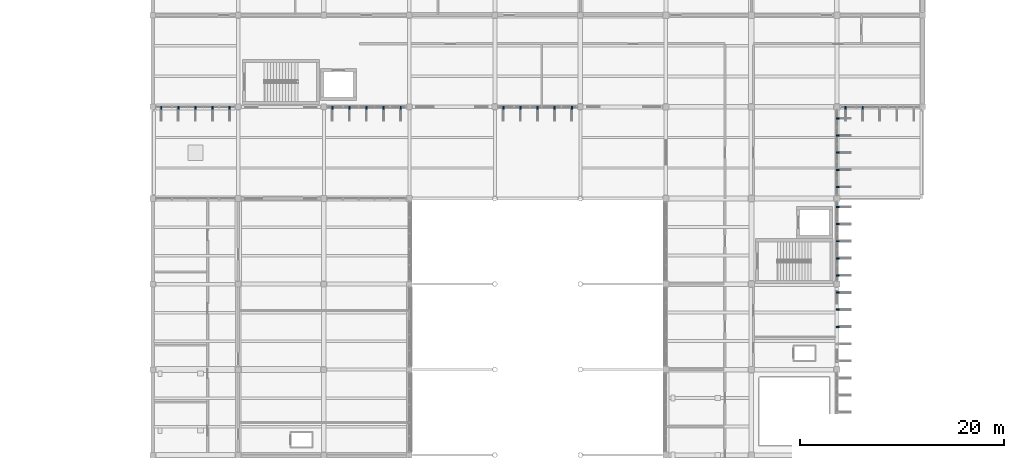
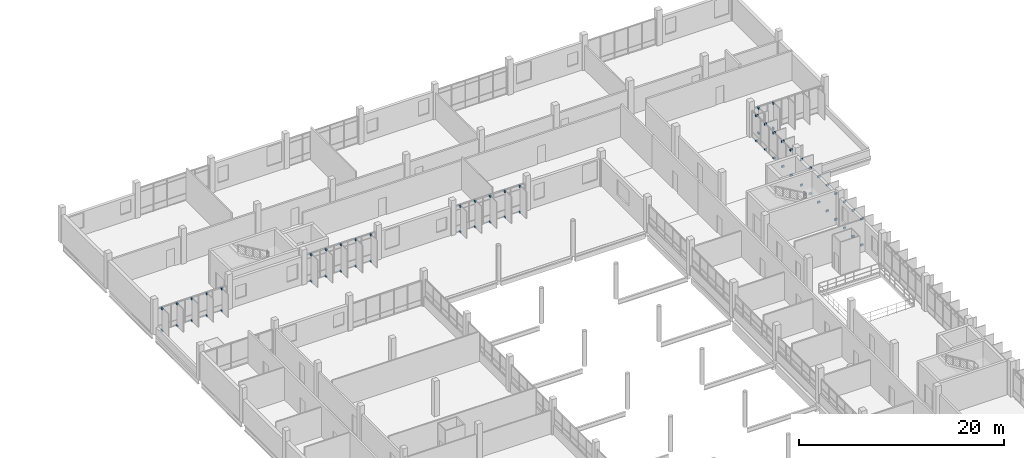
# One storey, part 122 of 130: 60 discrete accessories.
"""IFC4 building model written with IfcOpenShell, lengths in metres."""

from ifc_helpers import new_model, si_unit, direction, frame, origin, origin_2d, place, context, subcontext, project, spatial, rectangle, extrude, material, type_object, element, save


model = new_model("IFC4")

# Units and contexts
model_context = context("Model", 3, precision=1e-05, world=origin(), true_north=direction((0.0, 1.0)))
body_context = subcontext(model_context, "Body", "Model", "MODEL_VIEW")
ifc_project = project(units=[si_unit("LENGTHUNIT", "METRE"), si_unit("AREAUNIT", "SQUARE_METRE"), si_unit("VOLUMEUNIT", "CUBIC_METRE"), si_unit("PLANEANGLEUNIT", "RADIAN"), si_unit("MASSUNIT", "GRAM", prefix="KILO")], contexts=[model_context])

# Site, building, storey
site_placement = place(None, origin())
site = spatial("IfcSite", under=ifc_project, at=site_placement, CompositionType="ELEMENT")
building_placement = place(site_placement, origin())
building = spatial("IfcBuilding", under=site, at=building_placement, Name="Vireocrest Preparatory School", CompositionType="ELEMENT")
storey_placement = place(building_placement, frame((0.0, 0.0, 9.0)))
storey = spatial("IfcBuildingStorey", under=building, at=storey_placement, Name="L02", CompositionType="ELEMENT", Elevation=9.0)

# Discrete accessories
ifc_material = material(Name="Structural steel ASTM A572 Grade 50", Category="steel")
discrete_accessory_type = type_object("IfcDiscreteAccessoryType", Name="Slab-Edge Steel Outrigger Fin Bracket", PredefinedType="BRACKET", material=ifc_material)
for number, where, z_axis, x_axis, name in (
    (1, (109.27001953125, 73.199951171875, -0.08984375), (0.0, 0.0, 1.0), (0.0, -1.0, 0.0), "Solar Fin Outrigger Bracket BK1 L02-18-3-BOT"),
    (2, (109.27001953125, 73.199951171875, 3.02001953125), (0.0, 0.0, 1.0), (0.0, -1.0, 0.0), "Solar Fin Outrigger Bracket BK1 L02-18-3-TOP"),
    (3, (109.27001953125, 74.8798828125, -0.08984375), (0.0, 0.0, 1.0), (0.0, -1.0, 0.0), "Solar Fin Outrigger Bracket BK1 L02-18-4-BOT"),
    (4, (109.27001953125, 74.8798828125, 3.02001953125), (0.0, 0.0, 1.0), (0.0, -1.0, 0.0), "Solar Fin Outrigger Bracket BK1 L02-18-4-TOP"),
    (5, (109.27001953125, 76.56005859375, -0.08984375), (0.0, 0.0, 1.0), (0.0, -1.0, 0.0), "Solar Fin Outrigger Bracket BK1 L02-18-5-BOT"),
    (6, (109.27001953125, 76.56005859375, 3.02001953125), (0.0, 0.0, 1.0), (0.0, -1.0, 0.0), "Solar Fin Outrigger Bracket BK1 L02-18-5-TOP"),
    (7, (109.27001953125, 78.239990234375, -0.08984375), (0.0, 0.0, 1.0), (0.0, -1.0, 0.0), "Solar Fin Outrigger Bracket BK1 L02-19-1-BOT"),
    (8, (109.27001953125, 78.239990234375, 2.97021484375), (0.0, 0.0, 1.0), (0.0, -1.0, 0.0), "Solar Fin Outrigger Bracket BK1 L02-19-1-TOP"),
    (9, (109.27001953125, 79.919921875, -0.08984375), (0.0, 0.0, 1.0), (0.0, -1.0, 0.0), "Solar Fin Outrigger Bracket BK1 L02-19-2-BOT"),
    (10, (109.27001953125, 79.919921875, 2.97021484375), (0.0, 0.0, 1.0), (0.0, -1.0, 0.0), "Solar Fin Outrigger Bracket BK1 L02-19-2-TOP"),
    (11, (109.27001953125, 81.60009765625, -0.08984375), (0.0, 0.0, 1.0), (0.0, -1.0, 0.0), "Solar Fin Outrigger Bracket BK1 L02-19-3-BOT"),
    (12, (109.27001953125, 81.60009765625, 2.97021484375), (0.0, 0.0, 1.0), (0.0, -1.0, 0.0), "Solar Fin Outrigger Bracket BK1 L02-19-3-TOP"),
    (13, (109.27001953125, 83.280029296875, -0.08984375), (0.0, 0.0, 1.0), (0.0, -1.0, 0.0), "Solar Fin Outrigger Bracket BK1 L02-19-4-BOT"),
    (14, (109.27001953125, 83.280029296875, 2.97021484375), (0.0, 0.0, 1.0), (0.0, -1.0, 0.0), "Solar Fin Outrigger Bracket BK1 L02-19-4-TOP"),
    (15, (109.27001953125, 84.9599609375, -0.08984375), (0.0, 0.0, 1.0), (0.0, -1.0, 0.0), "Solar Fin Outrigger Bracket BK1 L02-19-5-BOT"),
    (16, (109.27001953125, 84.9599609375, 2.97021484375), (0.0, 0.0, 1.0), (0.0, -1.0, 0.0), "Solar Fin Outrigger Bracket BK1 L02-19-5-TOP"),
    (17, (109.27001953125, 86.93994140625, -0.08984375), (0.0, 0.0, 1.0), (0.0, -1.0, 0.0), "Solar Fin Outrigger Bracket BK1 L02-20-1-BOT"),
    (18, (109.27001953125, 86.93994140625, 2.919921875), (0.0, 0.0, 1.0), (0.0, -1.0, 0.0), "Solar Fin Outrigger Bracket BK1 L02-20-1-TOP"),
    (19, (109.27001953125, 88.6201171875, -0.08984375), (0.0, 0.0, 1.0), (0.0, -1.0, 0.0), "Solar Fin Outrigger Bracket BK1 L02-20-2-BOT"),
    (20, (109.27001953125, 88.6201171875, 2.919921875), (0.0, 0.0, 1.0), (0.0, -1.0, 0.0), "Solar Fin Outrigger Bracket BK1 L02-20-2-TOP"),
    (21, (109.27001953125, 90.300048828125, -0.08984375), (0.0, 0.0, 1.0), (0.0, -1.0, 0.0), "Solar Fin Outrigger Bracket BK1 L02-20-3-BOT"),
    (22, (109.27001953125, 90.300048828125, 2.919921875), (0.0, 0.0, 1.0), (0.0, -1.0, 0.0), "Solar Fin Outrigger Bracket BK1 L02-20-3-TOP"),
    (23, (109.27001953125, 91.97998046875, -0.08984375), (0.0, 0.0, 1.0), (0.0, -1.0, 0.0), "Solar Fin Outrigger Bracket BK1 L02-20-4-BOT"),
    (24, (109.27001953125, 91.97998046875, 2.919921875), (0.0, 0.0, 1.0), (0.0, -1.0, 0.0), "Solar Fin Outrigger Bracket BK1 L02-20-4-TOP"),
    (25, (109.27001953125, 93.659912109375, -0.08984375), (0.0, 0.0, 1.0), (0.0, -1.0, 0.0), "Solar Fin Outrigger Bracket BK1 L02-20-5-BOT"),
    (26, (109.27001953125, 93.659912109375, 2.919921875), (0.0, 0.0, 1.0), (0.0, -1.0, 0.0), "Solar Fin Outrigger Bracket BK1 L02-20-5-TOP"),
    (27, (110.052490234375, 94.72998046875, -0.08984375), (0.0, 0.0, 1.0), (-1.0, 0.0, 0.0), "Solar Fin Outrigger Bracket BK1 L02-21-1-BOT"),
    (28, (110.052490234375, 94.72998046875, 2.89013671875), (0.0, 0.0, 1.0), (-1.0, 0.0, 0.0), "Solar Fin Outrigger Bracket BK1 L02-21-1-TOP"),
    (29, (111.732421875, 94.72998046875, -0.08984375), (0.0, 0.0, 1.0), (-1.0, 0.0, 0.0), "Solar Fin Outrigger Bracket BK1 L02-21-2-BOT"),
    (30, (111.732421875, 94.72998046875, 2.89013671875), (0.0, 0.0, 1.0), (-1.0, 0.0, 0.0), "Solar Fin Outrigger Bracket BK1 L02-21-2-TOP"),
    (31, (42.840087890625, 94.72998046875, -0.08984375), (0.0, 0.0, 1.0), (-1.0, 0.0, 0.0), "Solar Fin Outrigger Bracket BK1 L02-22-1-BOT"),
    (32, (42.840087890625, 94.72998046875, 2.5400390625), (0.0, 0.0, 1.0), (-1.0, 0.0, 0.0), "Solar Fin Outrigger Bracket BK1 L02-22-1-TOP"),
    (33, (44.52001953125, 94.72998046875, -0.08984375), (0.0, 0.0, 1.0), (-1.0, 0.0, 0.0), "Solar Fin Outrigger Bracket BK1 L02-22-2-BOT"),
    (34, (44.52001953125, 94.72998046875, 2.5400390625), (0.0, 0.0, 1.0), (-1.0, 0.0, 0.0), "Solar Fin Outrigger Bracket BK1 L02-22-2-TOP"),
    (35, (46.199951171875, 94.72998046875, -0.08984375), (0.0, 0.0, 1.0), (-1.0, 0.0, 0.0), "Solar Fin Outrigger Bracket BK1 L02-22-3-BOT"),
    (36, (46.199951171875, 94.72998046875, 2.5400390625), (0.0, 0.0, 1.0), (-1.0, 0.0, 0.0), "Solar Fin Outrigger Bracket BK1 L02-22-3-TOP"),
    (37, (47.8798828125, 94.72998046875, -0.08984375), (0.0, 0.0, 1.0), (-1.0, 0.0, 0.0), "Solar Fin Outrigger Bracket BK1 L02-22-4-BOT"),
    (38, (47.8798828125, 94.72998046875, 2.5400390625), (0.0, 0.0, 1.0), (-1.0, 0.0, 0.0), "Solar Fin Outrigger Bracket BK1 L02-22-4-TOP"),
    (39, (49.56005859375, 94.72998046875, -0.08984375), (0.0, 0.0, 1.0), (-1.0, 0.0, 0.0), "Solar Fin Outrigger Bracket BK1 L02-22-5-BOT"),
    (40, (49.56005859375, 94.72998046875, 2.5400390625), (0.0, 0.0, 1.0), (-1.0, 0.0, 0.0), "Solar Fin Outrigger Bracket BK1 L02-22-5-TOP"),
    (41, (59.639892578125, 94.72998046875, -0.08984375), (0.0, 0.0, 1.0), (-1.0, 0.0, 0.0), "Solar Fin Outrigger Bracket BK1 L02-23-1-BOT"),
    (42, (59.639892578125, 94.72998046875, 3.08984375), (0.0, 0.0, 1.0), (-1.0, 0.0, 0.0), "Solar Fin Outrigger Bracket BK1 L02-23-1-TOP"),
    (43, (61.320068359375, 94.72998046875, -0.08984375), (0.0, 0.0, 1.0), (-1.0, 0.0, 0.0), "Solar Fin Outrigger Bracket BK1 L02-23-2-BOT"),
    (44, (61.320068359375, 94.72998046875, 3.08984375), (0.0, 0.0, 1.0), (-1.0, 0.0, 0.0), "Solar Fin Outrigger Bracket BK1 L02-23-2-TOP"),
    (45, (63.0, 94.72998046875, -0.08984375), (0.0, 0.0, 1.0), (-1.0, 0.0, 0.0), "Solar Fin Outrigger Bracket BK1 L02-23-3-BOT"),
    (46, (63.0, 94.72998046875, 3.08984375), (0.0, 0.0, 1.0), (-1.0, 0.0, 0.0), "Solar Fin Outrigger Bracket BK1 L02-23-3-TOP"),
    (47, (64.679931640625, 94.72998046875, -0.08984375), (0.0, 0.0, 1.0), (-1.0, 0.0, 0.0), "Solar Fin Outrigger Bracket BK1 L02-23-4-BOT"),
    (48, (64.679931640625, 94.72998046875, 3.08984375), (0.0, 0.0, 1.0), (-1.0, 0.0, 0.0), "Solar Fin Outrigger Bracket BK1 L02-23-4-TOP"),
    (49, (66.360107421875, 94.72998046875, -0.08984375), (0.0, 0.0, 1.0), (-1.0, 0.0, 0.0), "Solar Fin Outrigger Bracket BK1 L02-23-5-BOT"),
    (50, (66.360107421875, 94.72998046875, 3.08984375), (0.0, 0.0, 1.0), (-1.0, 0.0, 0.0), "Solar Fin Outrigger Bracket BK1 L02-23-5-TOP"),
    (51, (76.43994140625, 94.72998046875, -0.08984375), (0.0, 0.0, 1.0), (-1.0, 0.0, 0.0), "Solar Fin Outrigger Bracket BK1 L02-24-1-BOT"),
    (52, (76.43994140625, 94.72998046875, 2.990234375), (0.0, 0.0, 1.0), (-1.0, 0.0, 0.0), "Solar Fin Outrigger Bracket BK1 L02-24-1-TOP"),
    (53, (78.1201171875, 94.72998046875, -0.08984375), (0.0, 0.0, 1.0), (-1.0, 0.0, 0.0), "Solar Fin Outrigger Bracket BK1 L02-24-2-BOT"),
    (54, (78.1201171875, 94.72998046875, 2.990234375), (0.0, 0.0, 1.0), (-1.0, 0.0, 0.0), "Solar Fin Outrigger Bracket BK1 L02-24-2-TOP"),
    (55, (79.800048828125, 94.72998046875, -0.08984375), (0.0, 0.0, 1.0), (-1.0, 0.0, 0.0), "Solar Fin Outrigger Bracket BK1 L02-24-3-BOT"),
    (56, (79.800048828125, 94.72998046875, 2.990234375), (0.0, 0.0, 1.0), (-1.0, 0.0, 0.0), "Solar Fin Outrigger Bracket BK1 L02-24-3-TOP"),
    (57, (81.47998046875, 94.72998046875, -0.08984375), (0.0, 0.0, 1.0), (-1.0, 0.0, 0.0), "Solar Fin Outrigger Bracket BK1 L02-24-4-BOT"),
    (58, (81.47998046875, 94.72998046875, 2.990234375), (0.0, 0.0, 1.0), (-1.0, 0.0, 0.0), "Solar Fin Outrigger Bracket BK1 L02-24-4-TOP"),
    (59, (83.159912109375, 94.72998046875, -0.08984375), (0.0, 0.0, 1.0), (-1.0, 0.0, 0.0), "Solar Fin Outrigger Bracket BK1 L02-24-5-BOT"),
    (60, (83.159912109375, 94.72998046875, 2.990234375), (0.0, 0.0, 1.0), (-1.0, 0.0, 0.0), "Solar Fin Outrigger Bracket BK1 L02-24-5-TOP"),
):
    element("IfcDiscreteAccessory", number, at=place(storey_placement, frame(where, z_axis=z_axis, x_axis=x_axis)), inside=storey, type_object=discrete_accessory_type, Name=name, PredefinedType="BRACKET", context=body_context, shape_type="SweptSolid", body=[
        extrude(rectangle(XDim=0.139892578125, YDim=0.300048828125, at=origin_2d()), origin(), (0.0, 0.0, 1.0), 0.219970703125),
    ])

save(model, "model.ifc")
